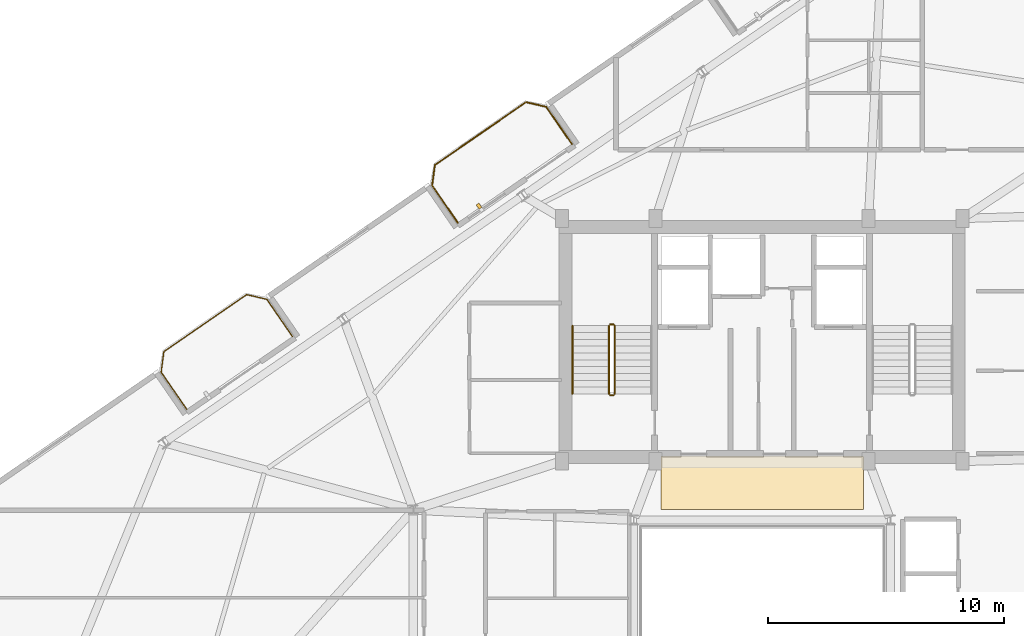
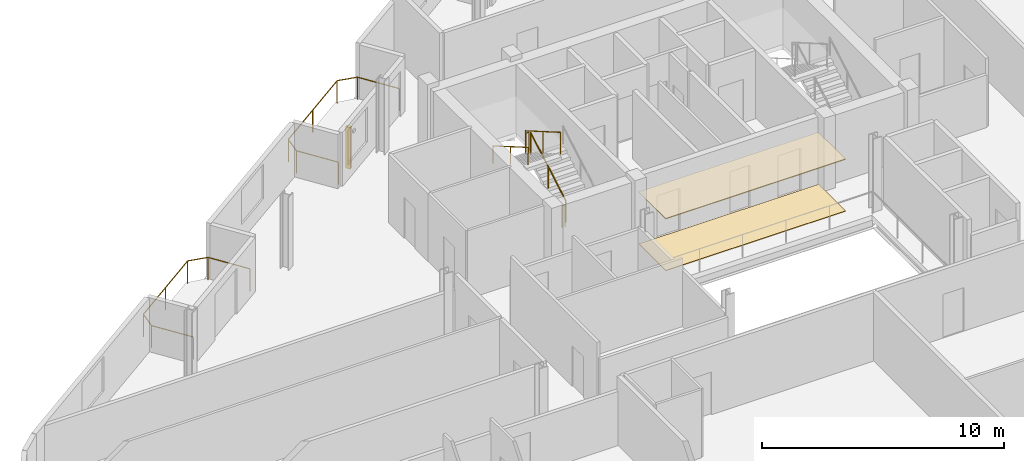
# One storey, part 20 of 21: 7 railings, 2 coverings, 1 shading device.
"""IFC4 building model written with IfcOpenShell, lengths in metres."""

from ifc_helpers import new_model, si_unit, direction, frame, origin, origin_2d, place, context, subcontext, project, spatial, rectangle, circle, extrude, source, transform, mapped, material, layer, layer_set, type_object, element, save


model = new_model("IFC4")

# Units and contexts
model_context = context("Model", 3, precision=1e-05, world=origin(), true_north=direction((0.0, 1.0)))
body_context = subcontext(model_context, "Body", "Model", "MODEL_VIEW")
ifc_project = project(units=[si_unit("LENGTHUNIT", "METRE"), si_unit("AREAUNIT", "SQUARE_METRE"), si_unit("VOLUMEUNIT", "CUBIC_METRE"), si_unit("PLANEANGLEUNIT", "RADIAN"), si_unit("MASSUNIT", "GRAM", prefix="KILO")], contexts=[model_context])

# Site, building, storey
site_placement = place(None, origin())
site = spatial("IfcSite", under=ifc_project, at=site_placement, CompositionType="ELEMENT")
building_placement = place(site_placement, origin())
building = spatial("IfcBuilding", under=site, at=building_placement, Name="Varnelok Gate Tower", CompositionType="ELEMENT")
storey_placement = place(building_placement, frame((0.0, 0.0, 269.300048828125)))
storey = spatial("IfcBuildingStorey", under=building, at=storey_placement, Name="L69", CompositionType="ELEMENT", Elevation=269.300048828125)

# Railings
ifc_material_1 = material(Name="Low-E Laminated Double Glazing IGU", Category="glass")
railing_type_1 = type_object("IfcRailingType", Name="RL-BALC-1150", PredefinedType="BALUSTRADE", material=ifc_material_1)
railing_1_placement = place(storey_placement, frame((14.781982421875, 30.944580078125, 0.0)))
element("IfcRailing", 1, at=railing_1_placement, inside=storey, type_object=railing_type_1, Name="L69 North Terrace Balustrade 4", PredefinedType="BALUSTRADE", context=body_context, shape_type="SweptSolid", body=[
    extrude(circle(Radius=0.02392578125, at=origin_2d()), frame((0.0, 0.0, 1.1259765625), z_axis=(-0.567284155424, 0.82352212296, 0.0), x_axis=(-0.82352212296, -0.567284155424, 0.0)), (0.0, 0.0, 1.0), 1.919921875),
    extrude(circle(Radius=0.02392578125, at=origin_2d()), frame((-1.089111328125, 1.5810546875, 1.1259765625), z_axis=(0.133475040405, 0.991052175008, 0.0), x_axis=(-0.991052175008, 0.133475040405, 0.0)), (0.0, 0.0, 1.0), 0.8779296875),
    extrude(circle(Radius=0.02392578125, at=origin_2d()), frame((-0.971923828125, 2.451171875, 1.1259765625), z_axis=(0.82355749358, 0.567232804735, 0.0), x_axis=(-0.567232804735, 0.82355749358, 0.0)), (0.0, 0.0, 1.0), 4.26708984375),
    extrude(circle(Radius=0.02392578125, at=origin_2d()), frame((2.542236328125, 4.87158203125, 1.1259765625), z_axis=(0.973511928193, -0.228636229993, 0.0), x_axis=(0.228636229993, 0.973511928193, 0.0)), (0.0, 0.0, 1.0), 0.877685546875),
    extrude(circle(Radius=0.02392578125, at=origin_2d()), frame((3.396728515625, 4.6708984375, 1.1259765625), z_axis=(0.567284155424, -0.82352212296, 0.0), x_axis=(0.82352212296, 0.567284155424, 0.0)), (0.0, 0.0, 1.0), 1.919921875),
    extrude(circle(Radius=0.02099609375, at=origin_2d()), origin(), (0.0, 0.0, 1.0), 1.101806640625),
    extrude(circle(Radius=0.02099609375, at=origin_2d()), frame((-1.089111328125, 1.5810546875, 0.0)), (0.0, 0.0, 1.0), 1.101806640625),
    extrude(circle(Radius=0.02099609375, at=origin_2d()), frame((-0.971923828125, 2.451171875, 0.0)), (0.0, 0.0, 1.0), 1.101806640625),
    extrude(circle(Radius=0.02099609375, at=origin_2d()), frame((0.78515625, 3.661376953125, 0.0)), (0.0, 0.0, 1.0), 1.101806640625),
    extrude(circle(Radius=0.02099609375, at=origin_2d()), frame((2.542236328125, 4.87158203125, 0.0)), (0.0, 0.0, 1.0), 1.101806640625),
    extrude(circle(Radius=0.02099609375, at=origin_2d()), frame((3.396728515625, 4.6708984375, 0.0)), (0.0, 0.0, 1.0), 1.101806640625),
    extrude(circle(Radius=0.02099609375, at=origin_2d()), frame((4.48583984375, 3.08984375, 0.0)), (0.0, 0.0, 1.0), 1.101806640625),
])
railing_2_placement = place(storey_placement, frame((26.2841796875, 38.86767578125, 0.0)))
element("IfcRailing", 2, at=railing_2_placement, inside=storey, type_object=railing_type_1, Name="L69 North Terrace Balustrade 5", PredefinedType="BALUSTRADE", context=body_context, shape_type="SweptSolid", body=[
    extrude(circle(Radius=0.02392578125, at=origin_2d()), frame((0.0, 0.0, 1.1259765625), z_axis=(-0.567197904061, 0.82358153065, 0.0), x_axis=(-0.82358153065, -0.567197904061, 0.0)), (0.0, 0.0, 1.0), 1.919677734375),
    extrude(circle(Radius=0.02392578125, at=origin_2d()), frame((-1.0888671875, 1.5810546875, 1.1259765625), z_axis=(0.133238627421, 0.991083986433, 0.0), x_axis=(-0.991083986433, 0.133238627421, 0.0)), (0.0, 0.0, 1.0), 0.877685546875),
    extrude(circle(Radius=0.02392578125, at=origin_2d()), frame((-0.971923828125, 2.450927734375, 1.1259765625), z_axis=(0.823523239622, 0.567282534371, 0.0), x_axis=(-0.567282534371, 0.823523239622, 0.0)), (0.0, 0.0, 1.0), 4.699951171875),
    extrude(circle(Radius=0.02392578125, at=origin_2d()), frame((2.898681640625, 5.1171875, 1.1259765625), z_axis=(0.973526462254, -0.228574336467, 0.0), x_axis=(0.228574336467, 0.973526462254, 0.0)), (0.0, 0.0, 1.0), 0.8779296875),
    extrude(circle(Radius=0.02392578125, at=origin_2d()), frame((3.75341796875, 4.91650390625, 1.1259765625), z_axis=(0.567284155424, -0.82352212296, 0.0), x_axis=(0.82352212296, 0.567284155424, 0.0)), (0.0, 0.0, 1.0), 1.919921875),
    extrude(circle(Radius=0.02099609375, at=origin_2d()), origin(), (0.0, 0.0, 1.0), 1.101806640625),
    extrude(circle(Radius=0.02099609375, at=origin_2d()), frame((-1.0888671875, 1.5810546875, 0.0)), (0.0, 0.0, 1.0), 1.101806640625),
    extrude(circle(Radius=0.02099609375, at=origin_2d()), frame((-0.971923828125, 2.450927734375, 0.0)), (0.0, 0.0, 1.0), 1.101806640625),
    extrude(circle(Radius=0.02099609375, at=origin_2d()), frame((0.96337890625, 3.7841796875, 0.0)), (0.0, 0.0, 1.0), 1.101806640625),
    extrude(circle(Radius=0.02099609375, at=origin_2d()), frame((2.898681640625, 5.1171875, 0.0)), (0.0, 0.0, 1.0), 1.101806640625),
    extrude(circle(Radius=0.02099609375, at=origin_2d()), frame((3.75341796875, 4.91650390625, 0.0)), (0.0, 0.0, 1.0), 1.101806640625),
    extrude(circle(Radius=0.02099609375, at=origin_2d()), frame((4.842529296875, 3.33544921875, 0.0)), (0.0, 0.0, 1.0), 1.101806640625),
])
ifc_material_2 = material(Name="Brushed Stainless Steel AISI 316", Category="steel")
railing_type_2 = type_object("IfcRailingType", Name="RL-HANDRAIL-900", PredefinedType="HANDRAIL", material=ifc_material_2)
railing_3_placement = place(storey_placement, frame((31.14990234375, 34.5, 2.01806640625)))
element("IfcRailing", 3, at=railing_3_placement, inside=storey, type_object=railing_type_2, Name="L69 ST-1 stair handrail 2", PredefinedType="HANDRAIL", context=body_context, shape_type="SweptSolid", body=[
    extrude(circle(Radius=0.02392578125, at=origin_2d()), frame((0.0, 0.0, 0.8759765625), z_axis=(0.0, -0.865038774852, 0.501705010941), x_axis=(1.0, 0.0, 0.0)), (0.0, 0.0, 1.0), 3.352294921875),
    extrude(circle(Radius=0.02099609375, at=origin_2d()), origin(), (0.0, 0.0, 1.0), 0.851806640625),
    extrude(circle(Radius=0.02099609375, at=origin_2d()), frame((0.0, -1.449951171875, 0.8408203125)), (0.0, 0.0, 1.0), 0.851806640625),
    extrude(circle(Radius=0.02099609375, at=origin_2d()), frame((0.0, -2.89990234375, 1.681884765625)), (0.0, 0.0, 1.0), 0.851806640625),
])
ifc_material_3 = material(Name="Galvanized Steel Grade S350GD", Category="steel")
railing_type_3 = type_object("IfcRailingType", Name="RL-STAIR-GUARD1120", PredefinedType="GUARDRAIL", material=ifc_material_3)
railing_4_placement = place(storey_placement, frame((32.949951171875, 31.60009765625, 0.168212890625)))
element("IfcRailing", 4, at=railing_4_placement, inside=storey, type_object=railing_type_3, Name="L69 ST-1 stair guard 1", PredefinedType="GUARDRAIL", context=body_context, shape_type="SweptSolid", body=[
    extrude(circle(Radius=0.02392578125, at=origin_2d()), frame((0.0, 0.0, 1.09619140625), z_axis=(0.0, 0.86507038078, 0.501650512107), x_axis=(-1.0, 0.0, 0.0)), (0.0, 0.0, 1.0), 3.352294921875),
    extrude(circle(Radius=0.02099609375, at=origin_2d()), origin(), (0.0, 0.0, 1.0), 1.072021484375),
    extrude(circle(Radius=0.02099609375, at=origin_2d()), frame((0.0, 1.449951171875, 0.8408203125)), (0.0, 0.0, 1.0), 1.072021484375),
    extrude(circle(Radius=0.02099609375, at=origin_2d()), frame((0.0, 2.89990234375, 1.681640625)), (0.0, 0.0, 1.0), 1.072021484375),
])
railing_5_placement = place(storey_placement, frame((32.89990234375, 34.550048828125, 1.849853515625)))
element("IfcRailing", 5, at=railing_5_placement, inside=storey, type_object=railing_type_3, Name="L69 ST-1 stair guard 2", PredefinedType="GUARDRAIL", context=body_context, shape_type="SweptSolid", body=[
    extrude(circle(Radius=0.02392578125, at=origin_2d()), frame((0.0, 0.0, 1.09619140625), z_axis=(-1.0, 0.0, 0.0), x_axis=(0.0, -1.0, 0.0)), (0.0, 0.0, 1.0), 0.14990234375),
    extrude(circle(Radius=0.02099609375, at=origin_2d()), origin(), (0.0, 0.0, 1.0), 1.072021484375),
    extrude(circle(Radius=0.02099609375, at=origin_2d()), frame((-0.14990234375, 0.0, 0.0)), (0.0, 0.0, 1.0), 1.072021484375),
])
railing_6_placement = place(storey_placement, frame((32.699951171875, 34.5, 2.01806640625)))
element("IfcRailing", 6, at=railing_6_placement, inside=storey, type_object=railing_type_3, Name="L69 ST-1 stair guard 3", PredefinedType="GUARDRAIL", context=body_context, shape_type="SweptSolid", body=[
    extrude(circle(Radius=0.02392578125, at=origin_2d()), frame((0.0, 0.0, 1.09619140625), z_axis=(0.0, -0.865038774852, 0.501705010941), x_axis=(1.0, 0.0, 0.0)), (0.0, 0.0, 1.0), 3.352294921875),
    extrude(circle(Radius=0.02099609375, at=origin_2d()), origin(), (0.0, 0.0, 1.0), 1.072021484375),
    extrude(circle(Radius=0.02099609375, at=origin_2d()), frame((0.0, -1.449951171875, 0.8408203125)), (0.0, 0.0, 1.0), 1.072021484375),
    extrude(circle(Radius=0.02099609375, at=origin_2d()), frame((0.0, -2.89990234375, 1.681884765625)), (0.0, 0.0, 1.0), 1.072021484375),
])
railing_7_placement = place(storey_placement, frame((32.89990234375, 31.550048828125, 0.0)))
element("IfcRailing", 7, at=railing_7_placement, inside=storey, type_object=railing_type_3, Name="L69 ST-1 stair guard 4", PredefinedType="GUARDRAIL", context=body_context, shape_type="SweptSolid", body=[
    extrude(circle(Radius=0.02392578125, at=origin_2d()), frame((0.0, 0.0, 1.09619140625), z_axis=(-1.0, 0.0, 0.0), x_axis=(0.0, -1.0, 0.0)), (0.0, 0.0, 1.0), 0.14990234375),
    extrude(circle(Radius=0.02099609375, at=origin_2d()), origin(), (0.0, 0.0, 1.0), 1.072021484375),
    extrude(circle(Radius=0.02099609375, at=origin_2d()), frame((-0.14990234375, 0.0, 0.0)), (0.0, 0.0, 1.0), 1.072021484375),
])

# Shading device
ifc_material_4 = material(Name="Glazed Architectural Terracotta Ceramic", Category="masonry")
shading_device_type = type_object("IfcShadingDeviceType", Name="SHD-TERRA-FIN", PredefinedType="USERDEFINED", material=ifc_material_4)
shared_shape_1 = source(origin(), body_context, "Body", "SweptSolid", [
    extrude(rectangle(XDim=0.139892578125, YDim=0.219970703125, at=origin_2d()), origin(), (0.0, 0.0, 1.0), 2.10009765625),
])
shading_device_placement = place(storey_placement, frame((27.18359375, 39.572021484375, 0.099853515625), z_axis=(0.0, 0.0, 1.0), x_axis=(0.823532597628, 0.567268949127, 0.0)))
element("IfcShadingDevice", 8, at=shading_device_placement, inside=storey, type_object=shading_device_type, Name="L69 Terracotta Ceramic Baguette Sunscreen 5.1", ObjectType="BAGUETTE", PredefinedType="USERDEFINED", context=body_context, shape_type="MappedRepresentation", body=[
    mapped(shared_shape_1, transform((0.0, 0.0, 0.0), scale=1.0)),
])

# Coverings
ifc_material_5 = material(Name="Honed Travertine Stone Flooring", Category="masonry")
ifc_layer_1 = layer(ifc_material_5, 0.02490234375)
ifc_layer_set_1 = layer_set([ifc_layer_1], Name="Honed Travertine Stone Flooring")
covering_type_1 = type_object("IfcCoveringType", Name="COV-FLOR-STONE", PredefinedType="FLOORING", material=ifc_layer_set_1)
shared_shape_2 = source(origin(), body_context, "Body", "SweptSolid", [
    extrude(rectangle(XDim=8.60009765625, YDim=2.219970703125, at=origin_2d()), origin(), (0.0, 0.0, 1.0), 0.02490234375),
])
covering_1_placement = place(storey_placement, frame((39.199951171875, 27.800048828125, 0.0), z_axis=(0.0, 0.0, 1.0), x_axis=(1.0, 0.0, 0.0)))
element("IfcCovering", 9, at=covering_1_placement, inside=storey, type_object=covering_type_1, Name="L69 Core Gallery Stone Flooring", PredefinedType="FLOORING", context=body_context, shape_type="MappedRepresentation", body=[
    mapped(shared_shape_2, transform((0.0, 0.0, 0.0), scale=1.0)),
])
ifc_material_6 = material(Name="Mineral Fiber Acoustic Ceiling Tile")
ifc_layer_2 = layer(ifc_material_6, 0.0400390625)
ifc_layer_set_2 = layer_set([ifc_layer_2], Name="Mineral Fiber Acoustic Ceiling Tile")
covering_type_2 = type_object("IfcCoveringType", Name="COV-CEIL-ACOUST", PredefinedType="CEILING", material=ifc_layer_set_2)
shared_shape_3 = source(origin(), body_context, "Body", "SweptSolid", [
    extrude(rectangle(XDim=8.60009765625, YDim=2.239990234375, at=origin_2d()), origin(), (0.0, 0.0, 1.0), 0.0400390625),
])
covering_2_placement = place(storey_placement, frame((39.199951171875, 27.820068359375, 2.599853515625), z_axis=(0.0, 0.0, 1.0), x_axis=(1.0, 0.0, 0.0)))
element("IfcCovering", 10, at=covering_2_placement, inside=storey, type_object=covering_type_2, Name="L69 Core Gallery Acoustic Ceiling", PredefinedType="CEILING", context=body_context, shape_type="MappedRepresentation", body=[
    mapped(shared_shape_3, transform((0.0, 0.0, 0.0), scale=1.0)),
])

save(model, "model.ifc")
